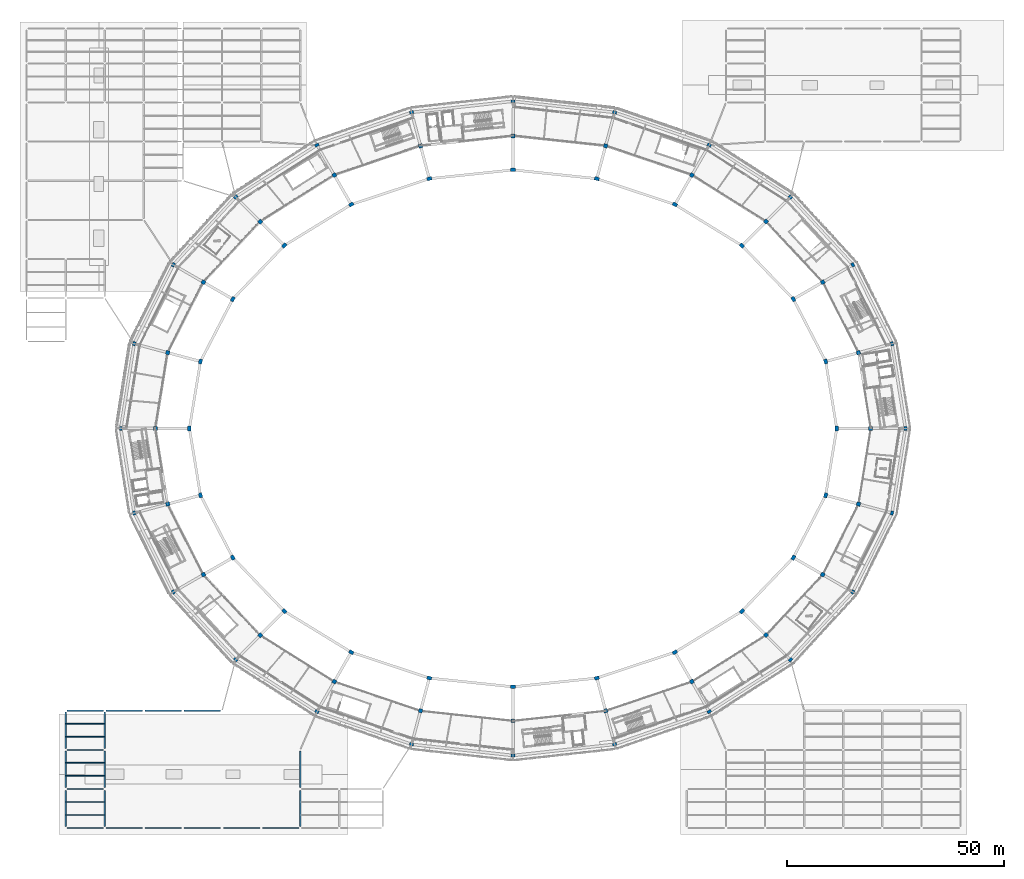
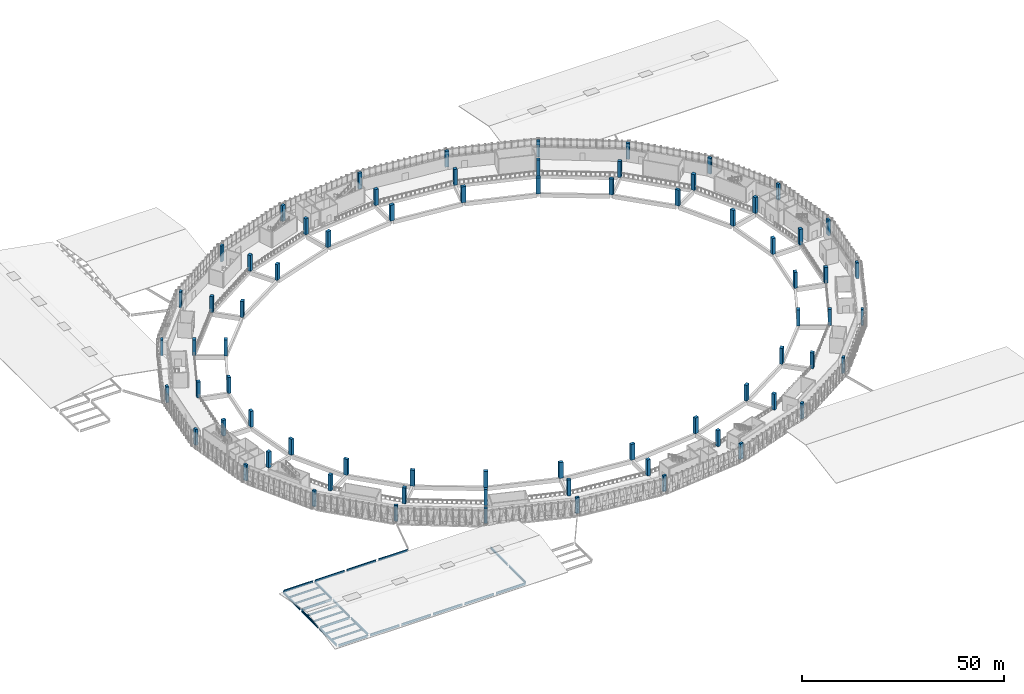
# One storey, part 1 of 108: 72 columns, 26 beams.
"""IFC4 building model written with IfcOpenShell, lengths in metres."""

from ifc_helpers import new_model, si_unit, direction, frame, origin, origin_2d, place, context, subcontext, project, spatial, rectangle, i_section, extrude, material, material_profile, profile_set, type_object, element, save


model = new_model("IFC4")

# Units and contexts
model_context = context("Model", 3, precision=1e-05, world=origin(), true_north=direction((0.0, 1.0)))
body_context = subcontext(model_context, "Body", "Model", "MODEL_VIEW")
ifc_project = project(units=[si_unit("LENGTHUNIT", "METRE"), si_unit("AREAUNIT", "SQUARE_METRE"), si_unit("VOLUMEUNIT", "CUBIC_METRE"), si_unit("PLANEANGLEUNIT", "RADIAN"), si_unit("MASSUNIT", "GRAM", prefix="KILO")], contexts=[model_context])

# Site, building, storey
site_placement = place(None, origin())
site = spatial("IfcSite", under=ifc_project, at=site_placement, CompositionType="ELEMENT")
building_placement = place(site_placement, origin())
building = spatial("IfcBuilding", under=site, at=building_placement, Name="Zevraka Park Crest Stadium", CompositionType="ELEMENT")
storey_placement = place(building_placement, frame((0.0, 0.0, 19.800048828125)))
storey = spatial("IfcBuildingStorey", under=building, at=storey_placement, Name="L04", CompositionType="ELEMENT", Elevation=19.800048828125)

# Columns
ifc_material_1 = material(Name="Concrete C40/50", Category="concrete")
ifc_material_profile_1 = material_profile(ifc_material_1, rectangle(XDim=0.800048828125, YDim=1.10009765625, at=origin_2d()), Name="RC 1100x800")
ifc_profile_set_1 = profile_set([ifc_material_profile_1], Name="Concrete C40/50")
column_type_1 = type_object("IfcColumnType", Name="C02", PredefinedType="COLUMN", material=ifc_profile_set_1)
for number, where, z_axis, x_axis, name in (
    (1, (186.5, 92.0, 0.0), (0.0, 0.0, 1.0), (1.0, 0.0, 0.0), "Bowl Main Column C02 L04-B-00"),
    (2, (183.9609375, 107.39990234375, 0.0), (0.0, 0.0, 1.0), (0.965925826289, 0.258819045103, 0.0), "Bowl Main Column C02 L04-B-01"),
    (3, (176.51904296875, 121.75, 0.0), (0.0, 0.0, 1.0), (0.866025403784, 0.5, 0.0), "Bowl Main Column C02 L04-B-02"),
    (4, (164.678955078125, 134.072998046875, 0.0), (0.0, 0.0, 1.0), (0.707106781187, 0.707106781187, 0.0), "Bowl Main Column C02 L04-B-03"),
    (5, (149.25, 143.529052734375, 0.0), (0.0, 0.0, 1.0), (0.5, 0.866025403784, 0.0), "Bowl Main Column C02 L04-B-04"),
    (6, (131.281982421875, 149.472900390625, 0.0), (0.0, 0.0, 1.0), (0.258819045103, 0.965925826289, 0.0), "Bowl Main Column C02 L04-B-05"),
    (7, (112.0, 151.5, 0.0), (0.0, 0.0, 1.0), (0.0, 1.0, 0.0), "Bowl Main Column C02 L04-B-06"),
    (8, (92.718017578125, 149.472900390625, 0.0), (0.0, 0.0, 1.0), (-0.258819045103, 0.965925826289, 0.0), "Bowl Main Column C02 L04-B-07"),
    (9, (74.75, 143.529052734375, 0.0), (0.0, 0.0, 1.0), (-0.5, 0.866025403784, 0.0), "Bowl Main Column C02 L04-B-08"),
    (10, (59.321044921875, 134.072998046875, 0.0), (0.0, 0.0, 1.0), (-0.707106781187, 0.707106781187, 0.0), "Bowl Main Column C02 L04-B-09"),
    (11, (47.48095703125, 121.75, 0.0), (0.0, 0.0, 1.0), (-0.866025403784, 0.5, 0.0), "Bowl Main Column C02 L04-B-10"),
    (12, (40.0390625, 107.39990234375, 0.0), (0.0, 0.0, 1.0), (-0.965925826289, 0.258819045103, 0.0), "Bowl Main Column C02 L04-B-11"),
    (13, (37.5, 92.0, 0.0), (0.0, 0.0, 1.0), (1.0, 0.0, 0.0), "Bowl Main Column C02 L04-B-12"),
    (14, (40.0390625, 76.60009765625, 0.0), (0.0, 0.0, 1.0), (0.965925826289, 0.258819045103, 0.0), "Bowl Main Column C02 L04-B-13"),
    (15, (47.48095703125, 62.25, 0.0), (0.0, 0.0, 1.0), (0.866025403784, 0.5, 0.0), "Bowl Main Column C02 L04-B-14"),
    (16, (59.321044921875, 49.927001953125, 0.0), (0.0, 0.0, 1.0), (0.707106781187, 0.707106781187, 0.0), "Bowl Main Column C02 L04-B-15"),
    (17, (74.75, 40.470947265625, 0.0), (0.0, 0.0, 1.0), (0.5, 0.866025403784, 0.0), "Bowl Main Column C02 L04-B-16"),
    (18, (92.718017578125, 34.527099609375, 0.0), (0.0, 0.0, 1.0), (0.258819045103, 0.965925826289, 0.0), "Bowl Main Column C02 L04-B-17"),
    (19, (112.0, 32.5, 0.0), (0.0, 0.0, 1.0), (0.0, 1.0, 0.0), "Bowl Main Column C02 L04-B-18"),
    (20, (131.281982421875, 34.527099609375, 0.0), (0.0, 0.0, 1.0), (-0.258819045103, 0.965925826289, 0.0), "Bowl Main Column C02 L04-B-19"),
    (21, (149.25, 40.470947265625, 0.0), (0.0, 0.0, 1.0), (-0.5, 0.866025403784, 0.0), "Bowl Main Column C02 L04-B-20"),
    (22, (164.678955078125, 49.927001953125, 0.0), (0.0, 0.0, 1.0), (-0.707106781187, 0.707106781187, 0.0), "Bowl Main Column C02 L04-B-21"),
    (23, (176.51904296875, 62.25, 0.0), (0.0, 0.0, 1.0), (-0.866025403784, 0.5, 0.0), "Bowl Main Column C02 L04-B-22"),
    (24, (183.9609375, 76.60009765625, 0.0), (0.0, 0.0, 1.0), (-0.965925826289, 0.258819045103, 0.0), "Bowl Main Column C02 L04-B-23"),
):
    element("IfcColumn", number, at=place(storey_placement, frame(where, z_axis=z_axis, x_axis=x_axis)), inside=storey, type_object=column_type_1, Name=name, PredefinedType="COLUMN", context=body_context, shape_type="SweptSolid", body=[
        extrude(rectangle(XDim=0.800048828125, YDim=1.10009765625, at=origin_2d()), origin(), (0.0, 0.0, 1.0), 4.800048828125),
    ])
ifc_material_2 = material(Name="Concrete C40/50", Category="concrete")
ifc_material_profile_2 = material_profile(ifc_material_2, rectangle(XDim=0.89990234375, YDim=0.89990234375, at=origin_2d()), Name="RC 900x900")
ifc_profile_set_2 = profile_set([ifc_material_profile_2], Name="Concrete C40/50")
column_type_2 = type_object("IfcColumnType", Name="C04", PredefinedType="COLUMN", material=ifc_profile_set_2)
for number, where, z_axis, x_axis, name in (
    (25, (194.300048828125, 92.0, 0.0), (0.0, 0.0, 1.0), (1.0, 0.0, 0.0), "Concourse Mid Column C04 L04-C-00"),
    (26, (191.49609375, 109.4189453125, 0.0), (0.0, 0.0, 1.0), (0.965925826289, 0.258819045103, 0.0), "Concourse Mid Column C04 L04-C-01"),
    (27, (183.27392578125, 125.64990234375, 0.0), (0.0, 0.0, 1.0), (0.866025403784, 0.5, 0.0), "Concourse Mid Column C04 L04-C-02"),
    (28, (170.195068359375, 139.587890625, 0.0), (0.0, 0.0, 1.0), (0.707106781187, 0.707106781187, 0.0), "Concourse Mid Column C04 L04-C-03"),
    (29, (153.14990234375, 150.283935546875, 0.0), (0.0, 0.0, 1.0), (0.5, 0.866025403784, 0.0), "Concourse Mid Column C04 L04-C-04"),
    (30, (133.301025390625, 157.007080078125, 0.0), (0.0, 0.0, 1.0), (0.258819045103, 0.965925826289, 0.0), "Concourse Mid Column C04 L04-C-05"),
    (31, (112.0, 159.300048828125, 0.0), (0.0, 0.0, 1.0), (0.0, 1.0, 0.0), "Concourse Mid Column C04 L04-C-06"),
    (32, (90.698974609375, 157.007080078125, 0.0), (0.0, 0.0, 1.0), (-0.258819045103, 0.965925826289, 0.0), "Concourse Mid Column C04 L04-C-07"),
    (33, (70.85009765625, 150.283935546875, 0.0), (0.0, 0.0, 1.0), (-0.5, 0.866025403784, 0.0), "Concourse Mid Column C04 L04-C-08"),
    (34, (53.804931640625, 139.587890625, 0.0), (0.0, 0.0, 1.0), (-0.707106781187, 0.707106781187, 0.0), "Concourse Mid Column C04 L04-C-09"),
    (35, (40.72607421875, 125.64990234375, 0.0), (0.0, 0.0, 1.0), (-0.866025403784, 0.5, 0.0), "Concourse Mid Column C04 L04-C-10"),
    (36, (32.50390625, 109.4189453125, 0.0), (0.0, 0.0, 1.0), (-0.965925826289, 0.258819045103, 0.0), "Concourse Mid Column C04 L04-C-11"),
    (37, (29.699951171875, 92.0, 0.0), (0.0, 0.0, 1.0), (1.0, 0.0, 0.0), "Concourse Mid Column C04 L04-C-12"),
    (38, (32.50390625, 74.5810546875, 0.0), (0.0, 0.0, 1.0), (0.965925826289, 0.258819045103, 0.0), "Concourse Mid Column C04 L04-C-13"),
    (39, (40.72607421875, 58.35009765625, 0.0), (0.0, 0.0, 1.0), (0.866025403784, 0.5, 0.0), "Concourse Mid Column C04 L04-C-14"),
    (40, (53.804931640625, 44.412109375, 0.0), (0.0, 0.0, 1.0), (0.707106781187, 0.707106781187, 0.0), "Concourse Mid Column C04 L04-C-15"),
    (41, (70.85009765625, 33.716064453125, 0.0), (0.0, 0.0, 1.0), (0.5, 0.866025403784, 0.0), "Concourse Mid Column C04 L04-C-16"),
    (42, (90.698974609375, 26.992919921875, 0.0), (0.0, 0.0, 1.0), (0.258819045103, 0.965925826289, 0.0), "Concourse Mid Column C04 L04-C-17"),
    (43, (112.0, 24.699951171875, 0.0), (0.0, 0.0, 1.0), (0.0, 1.0, 0.0), "Concourse Mid Column C04 L04-C-18"),
    (44, (133.301025390625, 26.992919921875, 0.0), (0.0, 0.0, 1.0), (-0.258819045103, 0.965925826289, 0.0), "Concourse Mid Column C04 L04-C-19"),
    (45, (153.14990234375, 33.716064453125, 0.0), (0.0, 0.0, 1.0), (-0.5, 0.866025403784, 0.0), "Concourse Mid Column C04 L04-C-20"),
    (46, (170.195068359375, 44.412109375, 0.0), (0.0, 0.0, 1.0), (-0.707106781187, 0.707106781187, 0.0), "Concourse Mid Column C04 L04-C-21"),
    (47, (183.27392578125, 58.35009765625, 0.0), (0.0, 0.0, 1.0), (-0.866025403784, 0.5, 0.0), "Concourse Mid Column C04 L04-C-22"),
    (48, (191.49609375, 74.5810546875, 0.0), (0.0, 0.0, 1.0), (-0.965925826289, 0.258819045103, 0.0), "Concourse Mid Column C04 L04-C-23"),
):
    element("IfcColumn", number, at=place(storey_placement, frame(where, z_axis=z_axis, x_axis=x_axis)), inside=storey, type_object=column_type_2, Name=name, PredefinedType="COLUMN", context=body_context, shape_type="SweptSolid", body=[
        extrude(rectangle(XDim=0.89990234375, YDim=0.89990234375, at=origin_2d()), origin(), (0.0, 0.0, 1.0), 4.800048828125),
    ])
ifc_material_3 = material(Name="Concrete C40/50", Category="concrete")
ifc_material_profile_3 = material_profile(ifc_material_3, rectangle(XDim=0.64990234375, YDim=0.949951171875, at=origin_2d()), Name="RC 950x650")
ifc_profile_set_3 = profile_set([ifc_material_profile_3], Name="Concrete C40/50")
column_type_3 = type_object("IfcColumnType", Name="C11", PredefinedType="COLUMN", material=ifc_profile_set_3)
for number, where, z_axis, x_axis, name in (
    (49, (202.300048828125, 92.0, 0.0), (0.0, 0.0, 1.0), (1.0, 0.0, 0.0), "Perimeter Ring Column C11 L04-D-00"),
    (50, (199.222900390625, 111.489013671875, 0.0), (0.0, 0.0, 1.0), (0.965925826289, 0.258819045103, 0.0), "Perimeter Ring Column C11 L04-D-01"),
    (51, (190.201904296875, 129.64990234375, 0.0), (0.0, 0.0, 1.0), (0.866025403784, 0.5, 0.0), "Perimeter Ring Column C11 L04-D-02"),
    (52, (175.85205078125, 145.2451171875, 0.0), (0.0, 0.0, 1.0), (0.707106781187, 0.707106781187, 0.0), "Perimeter Ring Column C11 L04-D-03"),
    (53, (157.14990234375, 157.2119140625, 0.0), (0.0, 0.0, 1.0), (0.5, 0.866025403784, 0.0), "Perimeter Ring Column C11 L04-D-04"),
    (54, (135.37109375, 164.73388671875, 0.0), (0.0, 0.0, 1.0), (0.258819045103, 0.965925826289, 0.0), "Perimeter Ring Column C11 L04-D-05"),
    (55, (112.0, 167.300048828125, 0.0), (0.0, 0.0, 1.0), (0.0, 1.0, 0.0), "Perimeter Ring Column C11 L04-D-06"),
    (56, (88.62890625, 164.73388671875, 0.0), (0.0, 0.0, 1.0), (-0.258819045103, 0.965925826289, 0.0), "Perimeter Ring Column C11 L04-D-07"),
    (57, (66.85009765625, 157.2119140625, 0.0), (0.0, 0.0, 1.0), (-0.5, 0.866025403784, 0.0), "Perimeter Ring Column C11 L04-D-08"),
    (58, (48.14794921875, 145.2451171875, 0.0), (0.0, 0.0, 1.0), (-0.707106781187, 0.707106781187, 0.0), "Perimeter Ring Column C11 L04-D-09"),
    (59, (33.798095703125, 129.64990234375, 0.0), (0.0, 0.0, 1.0), (-0.866025403784, 0.5, 0.0), "Perimeter Ring Column C11 L04-D-10"),
    (60, (24.777099609375, 111.489013671875, 0.0), (0.0, 0.0, 1.0), (-0.965925826289, 0.258819045103, 0.0), "Perimeter Ring Column C11 L04-D-11"),
    (61, (21.699951171875, 92.0, 0.0), (0.0, 0.0, 1.0), (1.0, 0.0, 0.0), "Perimeter Ring Column C11 L04-D-12"),
    (62, (24.777099609375, 72.510986328125, 0.0), (0.0, 0.0, 1.0), (0.965925826289, 0.258819045103, 0.0), "Perimeter Ring Column C11 L04-D-13"),
    (63, (33.798095703125, 54.35009765625, 0.0), (0.0, 0.0, 1.0), (0.866025403784, 0.5, 0.0), "Perimeter Ring Column C11 L04-D-14"),
    (64, (48.14794921875, 38.7548828125, 0.0), (0.0, 0.0, 1.0), (0.707106781187, 0.707106781187, 0.0), "Perimeter Ring Column C11 L04-D-15"),
    (65, (66.85009765625, 26.7880859375, 0.0), (0.0, 0.0, 1.0), (0.5, 0.866025403784, 0.0), "Perimeter Ring Column C11 L04-D-16"),
    (66, (88.62890625, 19.26611328125, 0.0), (0.0, 0.0, 1.0), (0.258819045103, 0.965925826289, 0.0), "Perimeter Ring Column C11 L04-D-17"),
    (67, (112.0, 16.699951171875, 0.0), (0.0, 0.0, 1.0), (0.0, 1.0, 0.0), "Perimeter Ring Column C11 L04-D-18"),
    (68, (135.37109375, 19.26611328125, 0.0), (0.0, 0.0, 1.0), (-0.258819045103, 0.965925826289, 0.0), "Perimeter Ring Column C11 L04-D-19"),
    (69, (157.14990234375, 26.7880859375, 0.0), (0.0, 0.0, 1.0), (-0.5, 0.866025403784, 0.0), "Perimeter Ring Column C11 L04-D-20"),
    (70, (175.85205078125, 38.7548828125, 0.0), (0.0, 0.0, 1.0), (-0.707106781187, 0.707106781187, 0.0), "Perimeter Ring Column C11 L04-D-21"),
    (71, (190.201904296875, 54.35009765625, 0.0), (0.0, 0.0, 1.0), (-0.866025403784, 0.5, 0.0), "Perimeter Ring Column C11 L04-D-22"),
    (72, (199.222900390625, 72.510986328125, 0.0), (0.0, 0.0, 1.0), (-0.965925826289, 0.258819045103, 0.0), "Perimeter Ring Column C11 L04-D-23"),
):
    element("IfcColumn", number, at=place(storey_placement, frame(where, z_axis=z_axis, x_axis=x_axis)), inside=storey, type_object=column_type_3, Name=name, PredefinedType="COLUMN", context=body_context, shape_type="SweptSolid", body=[
        extrude(rectangle(XDim=0.64990234375, YDim=0.949951171875, at=origin_2d()), origin(), (0.0, 0.0, 1.0), 4.800048828125),
    ])

# Beams
ifc_material_4 = material(Name="Steel S355", Category="steel")
ifc_material_profile_4 = material_profile(ifc_material_4, i_section(OverallWidth=0.253662109375, OverallDepth=0.68359375, WebThickness=0.012451171875, FlangeThickness=0.01904296875, at=origin_2d()), Name="UKB 686x254x140")
ifc_profile_set_4 = profile_set([ifc_material_profile_4], Name="Steel S355")
beam_type_1 = type_object("IfcBeamType", Name="BG05", PredefinedType="BEAM", material=ifc_profile_set_4)
for number, where, z_axis, x_axis, name in (
    (73, (9.300048828125, 0.0, -0.60986328125), (1.0, 0.0, 0.0), (0.0, 1.0, 0.0), "Wing Girder BG05 L04-23/A"),
    (74, (9.300048828125, 9.0, -0.60986328125), (1.0, 0.0, 0.0), (0.0, 1.0, 0.0), "Wing Girder BG05 L04-23/B"),
    (75, (9.300048828125, 18.0, -0.60986328125), (1.0, 0.0, 0.0), (0.0, 1.0, 0.0), "Wing Girder BG05 L04-23/C"),
    (76, (9.300048828125, 27.0, -0.60986328125), (1.0, 0.0, 0.0), (0.0, 1.0, 0.0), "Wing Girder BG05 L04-23/D"),
    (77, (18.300048828125, 0.0, -0.60986328125), (1.0, 0.0, 0.0), (0.0, 1.0, 0.0), "Wing Girder BG05 L04-34/A"),
    (78, (18.300048828125, 27.0, -0.60986328125), (1.0, 0.0, 0.0), (0.0, 1.0, 0.0), "Wing Girder BG05 L04-34/D"),
    (79, (27.300048828125, 0.0, -0.60986328125), (1.0, 0.0, 0.0), (0.0, 1.0, 0.0), "Wing Girder BG05 L04-45/A"),
    (80, (27.300048828125, 27.0, -0.60986328125), (1.0, 0.0, 0.0), (0.0, 1.0, 0.0), "Wing Girder BG05 L04-45/D"),
    (81, (36.300048828125, 0.0, -0.60986328125), (1.0, 0.0, 0.0), (0.0, 1.0, 0.0), "Wing Girder BG05 L04-56/A"),
    (82, (36.300048828125, 27.0, -0.60986328125), (1.0, 0.0, 0.0), (0.0, 1.0, 0.0), "Wing Girder BG05 L04-56/D"),
    (83, (45.300048828125, 0.0, -0.60986328125), (1.0, 0.0, 0.0), (0.0, 1.0, 0.0), "Wing Girder BG05 L04-67/A"),
    (84, (54.300048828125, 0.0, -0.60986328125), (1.0, 0.0, 0.0), (0.0, 1.0, 0.0), "Wing Girder BG05 L04-78/A"),
):
    element("IfcBeam", number, at=place(storey_placement, frame(where, z_axis=z_axis, x_axis=x_axis)), inside=storey, type_object=beam_type_1, Name=name, PredefinedType="BEAM", context=body_context, shape_type="SweptSolid", body=[
        extrude(i_section(OverallWidth=0.253662109375, OverallDepth=0.68359375, WebThickness=0.012451171875, FlangeThickness=0.01904296875, at=origin_2d()), origin(), (0.0, 0.0, 1.0), 8.39990234375),
    ])
ifc_material_5 = material(Name="Steel S355", Category="steel")
ifc_material_profile_5 = material_profile(ifc_material_5, i_section(OverallWidth=0.300048828125, OverallDepth=0.64990234375, WebThickness=0.01611328125, FlangeThickness=0.031005859375, at=origin_2d()), Name="HEB 650")
ifc_profile_set_5 = profile_set([ifc_material_profile_5], Name="Steel S355")
beam_type_2 = type_object("IfcBeamType", Name="BG07", PredefinedType="BEAM", material=ifc_profile_set_5)
for number, where, z_axis, x_axis, name in (
    (85, (9.0, 0.300048828125, -0.593017578125), (0.0, 1.0, 0.0), (-1.0, 0.0, 0.0), "Wing Girder BG07 L04-2/AB"),
    (86, (9.0, 9.300048828125, -0.593017578125), (0.0, 1.0, 0.0), (-1.0, 0.0, 0.0), "Wing Girder BG07 L04-2/BC"),
    (87, (9.0, 18.300048828125, -0.593017578125), (0.0, 1.0, 0.0), (-1.0, 0.0, 0.0), "Wing Girder BG07 L04-2/CD"),
    (88, (18.0, 0.300048828125, -0.593017578125), (0.0, 1.0, 0.0), (-1.0, 0.0, 0.0), "Wing Girder BG07 L04-3/AB"),
    (89, (18.0, 9.300048828125, -0.593017578125), (0.0, 1.0, 0.0), (-1.0, 0.0, 0.0), "Wing Girder BG07 L04-3/BC"),
    (90, (18.0, 18.300048828125, -0.593017578125), (0.0, 1.0, 0.0), (-1.0, 0.0, 0.0), "Wing Girder BG07 L04-3/CD"),
    (91, (63.0, 0.300048828125, -0.593017578125), (0.0, 1.0, 0.0), (-1.0, 0.0, 0.0), "Wing Girder BG07 L04-8/AB"),
    (92, (63.0, 9.300048828125, -0.593017578125), (0.0, 1.0, 0.0), (-1.0, 0.0, 0.0), "Wing Girder BG07 L04-8/BC"),
):
    element("IfcBeam", number, at=place(storey_placement, frame(where, z_axis=z_axis, x_axis=x_axis)), inside=storey, type_object=beam_type_2, Name=name, PredefinedType="BEAM", context=body_context, shape_type="SweptSolid", body=[
        extrude(i_section(OverallWidth=0.300048828125, OverallDepth=0.64990234375, WebThickness=0.01611328125, FlangeThickness=0.031005859375, at=origin_2d()), origin(), (0.0, 0.0, 1.0), 8.39990234375),
    ])
ifc_material_6 = material(Name="Steel S355", Category="steel")
ifc_material_profile_6 = material_profile(ifc_material_6, i_section(OverallWidth=0.209228515625, OverallDepth=0.533203125, WebThickness=0.010009765625, FlangeThickness=0.015625, at=origin_2d()), Name="UKB 533x210x92")
ifc_profile_set_6 = profile_set([ifc_material_profile_6], Name="Steel S355")
beam_type_3 = type_object("IfcBeamType", Name="SJ05", PredefinedType="JOIST", material=ifc_profile_set_6)
for number, where, z_axis, x_axis, name in (
    (93, (9.14501953125, 3.0, -0.53662109375), (1.0, 0.0, 0.0), (0.0, 1.0, 0.0), "Wing Joist SJ05 L04-2/A-1"),
    (94, (9.14501953125, 6.0, -0.53662109375), (1.0, 0.0, 0.0), (0.0, 1.0, 0.0), "Wing Joist SJ05 L04-2/A-2"),
    (95, (9.14501953125, 12.0, -0.53662109375), (1.0, 0.0, 0.0), (0.0, 1.0, 0.0), "Wing Joist SJ05 L04-2/B-1"),
    (96, (9.14501953125, 15.0, -0.53662109375), (1.0, 0.0, 0.0), (0.0, 1.0, 0.0), "Wing Joist SJ05 L04-2/B-2"),
    (97, (9.14501953125, 21.0, -0.53662109375), (1.0, 0.0, 0.0), (0.0, 1.0, 0.0), "Wing Joist SJ05 L04-2/C-1"),
    (98, (9.14501953125, 24.0, -0.53662109375), (1.0, 0.0, 0.0), (0.0, 1.0, 0.0), "Wing Joist SJ05 L04-2/C-2"),
):
    element("IfcBeam", number, at=place(storey_placement, frame(where, z_axis=z_axis, x_axis=x_axis)), inside=storey, type_object=beam_type_3, Name=name, PredefinedType="JOIST", context=body_context, shape_type="SweptSolid", body=[
        extrude(i_section(OverallWidth=0.209228515625, OverallDepth=0.533203125, WebThickness=0.010009765625, FlangeThickness=0.015625, at=origin_2d()), origin(), (0.0, 0.0, 1.0), 8.7099609375),
    ])

save(model, "model.ifc")
